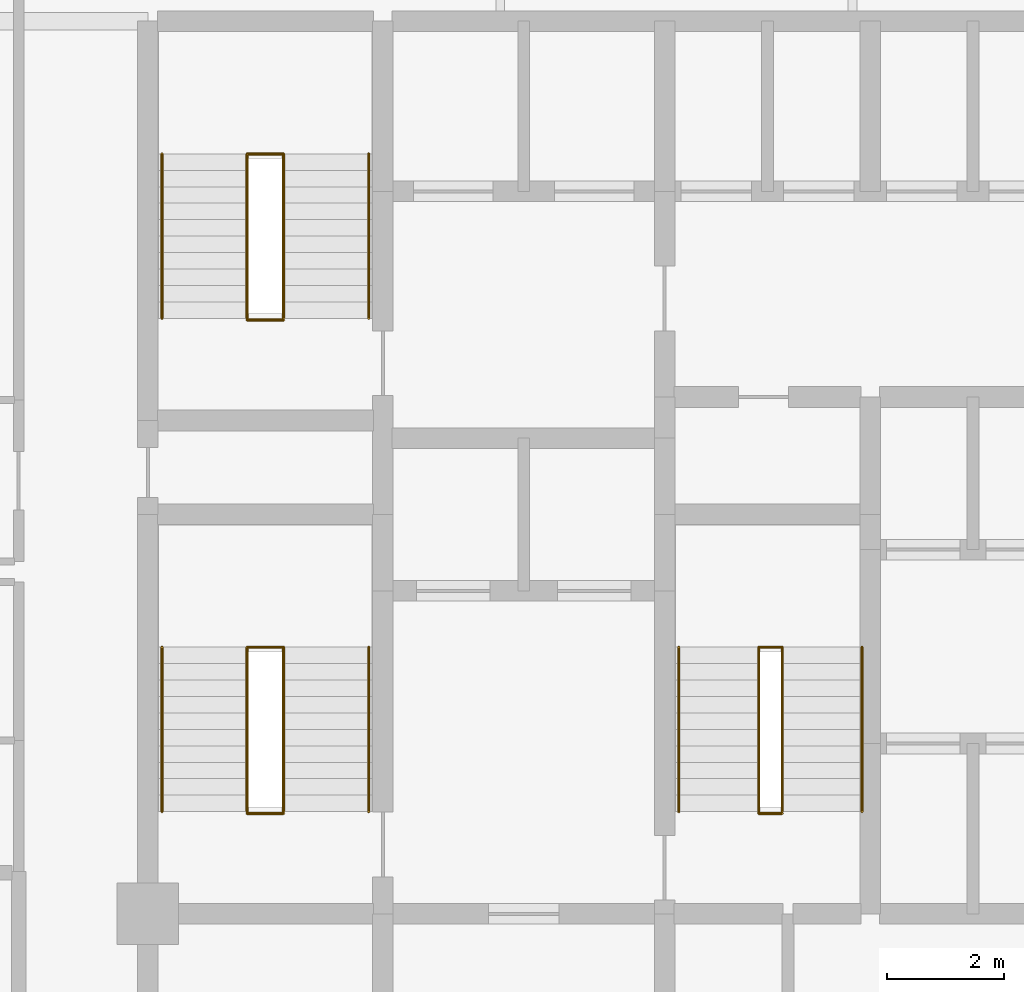
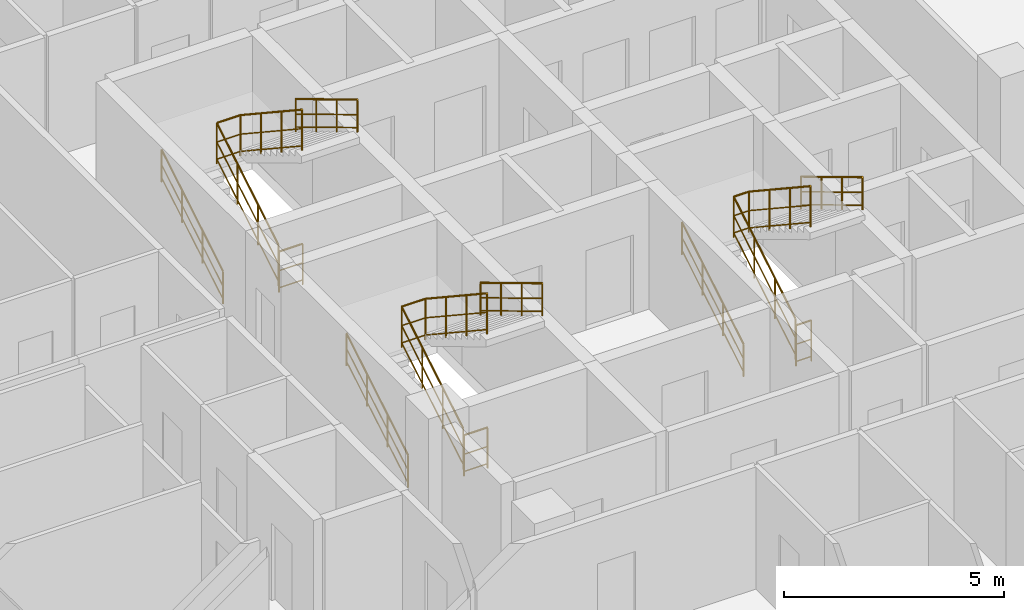
# One storey, part 29 of 29: 12 railings.
"""IFC4 building model written with IfcOpenShell, lengths in metres."""

from ifc_helpers import new_model, si_unit, direction, frame, origin, origin_2d, place, context, subcontext, project, spatial, circle, extrude, material, layer, layer_set, type_object, element, save


model = new_model("IFC4")

# Units and contexts
model_context = context("Model", 3, precision=1e-05, world=origin(), true_north=direction((0.0, 1.0)))
body_context = subcontext(model_context, "Body", "Model", "MODEL_VIEW")
ifc_project = project(units=[si_unit("LENGTHUNIT", "METRE"), si_unit("AREAUNIT", "SQUARE_METRE"), si_unit("VOLUMEUNIT", "CUBIC_METRE"), si_unit("PLANEANGLEUNIT", "RADIAN"), si_unit("MASSUNIT", "GRAM", prefix="KILO")], contexts=[model_context])

# Site, building, storey
site_placement = place(None, origin())
site = spatial("IfcSite", under=ifc_project, at=site_placement, CompositionType="ELEMENT")
building_placement = place(site_placement, origin())
building = spatial("IfcBuilding", under=site, at=building_placement, Name="Keshet Zoharim Tower", CompositionType="ELEMENT")
storey_placement = place(building_placement, frame((0.0, 0.0, 98.300048828125)))
storey = spatial("IfcBuildingStorey", under=building, at=storey_placement, Name="L23", CompositionType="ELEMENT", Elevation=98.300048828125)

# Railings
ifc_material = material(Name="Steel S355", Category="steel")
ifc_layer_1 = layer(ifc_material, 0.050048828125)
ifc_layer_set_1 = layer_set([ifc_layer_1], Name="Steel S355")
railing_type_1 = type_object("IfcRailingType", Name="RL-HND-092", PredefinedType="HANDRAIL", material=ifc_layer_set_1)
railing_1_placement = place(storey_placement, frame((15.239990234375, 24.43994140625, 0.168212890625)))
element("IfcRailing", 1, at=railing_1_placement, inside=storey, type_object=railing_type_1, Name="L23 ST-01 Flight 1 Wall Handrail", PredefinedType="HANDRAIL", context=body_context, shape_type="SweptSolid", body=[
    extrude(circle(Radius=0.02392578125, at=origin_2d()), frame((0.0, 0.0, 0.89599609375), z_axis=(0.0, 0.857275202839, 0.514858452973), x_axis=(-1.0, 0.0, 0.0)), (0.0, 0.0, 1.0), 3.26611328125),
    extrude(circle(Radius=0.01611328125, at=origin_2d()), frame((0.0, 0.0, 0.478271484375), z_axis=(0.0, 0.857275202839, 0.514858452973), x_axis=(-1.0, 0.0, 0.0)), (0.0, 0.0, 1.0), 3.26611328125),
    extrude(circle(Radius=0.01611328125, at=origin_2d()), frame((0.0, 0.0, 0.1201171875), z_axis=(0.0, 0.857275202839, 0.514858452973), x_axis=(-1.0, 0.0, 0.0)), (0.0, 0.0, 1.0), 3.26611328125),
    extrude(circle(Radius=0.02099609375, at=origin_2d()), origin(), (0.0, 0.0, 1.0), 0.871826171875),
    extrude(circle(Radius=0.02099609375, at=origin_2d()), frame((0.0, 0.933349609375, 0.560546875)), (0.0, 0.0, 1.0), 0.871826171875),
    extrude(circle(Radius=0.02099609375, at=origin_2d()), frame((0.0, 1.86669921875, 1.12109375)), (0.0, 0.0, 1.0), 0.871826171875),
    extrude(circle(Radius=0.02099609375, at=origin_2d()), frame((0.0, 2.800048828125, 1.681640625)), (0.0, 0.0, 1.0), 0.871826171875),
])
railing_2_placement = place(storey_placement, frame((18.760009765625, 27.239990234375, 2.01806640625)))
element("IfcRailing", 2, at=railing_2_placement, inside=storey, type_object=railing_type_1, Name="L23 ST-01 Flight 2 Wall Handrail", PredefinedType="HANDRAIL", context=body_context, shape_type="SweptSolid", body=[
    extrude(circle(Radius=0.02392578125, at=origin_2d()), frame((0.0, 0.0, 0.89599609375), z_axis=(0.0, -0.857242210791, 0.514913383045), x_axis=(1.0, 0.0, 0.0)), (0.0, 0.0, 1.0), 3.266357421875),
    extrude(circle(Radius=0.01611328125, at=origin_2d()), frame((0.0, 0.0, 0.478271484375), z_axis=(0.0, -0.857242210791, 0.514913383045), x_axis=(1.0, 0.0, 0.0)), (0.0, 0.0, 1.0), 3.266357421875),
    extrude(circle(Radius=0.01611328125, at=origin_2d()), frame((0.0, 0.0, 0.1201171875), z_axis=(0.0, -0.857242210791, 0.514913383045), x_axis=(1.0, 0.0, 0.0)), (0.0, 0.0, 1.0), 3.266357421875),
    extrude(circle(Radius=0.02099609375, at=origin_2d()), origin(), (0.0, 0.0, 1.0), 0.871826171875),
    extrude(circle(Radius=0.02099609375, at=origin_2d()), frame((0.0, -0.933349609375, 0.560546875)), (0.0, 0.0, 1.0), 0.871826171875),
    extrude(circle(Radius=0.02099609375, at=origin_2d()), frame((0.0, -1.86669921875, 1.121337890625)), (0.0, 0.0, 1.0), 0.871826171875),
    extrude(circle(Radius=0.02099609375, at=origin_2d()), frame((0.0, -2.800048828125, 1.681884765625)), (0.0, 0.0, 1.0), 0.871826171875),
])
railing_3_placement = place(storey_placement, frame((15.239990234375, 32.840087890625, 0.168212890625)))
element("IfcRailing", 3, at=railing_3_placement, inside=storey, type_object=railing_type_1, Name="L23 ST-02 Flight 1 Wall Handrail", PredefinedType="HANDRAIL", context=body_context, shape_type="SweptSolid", body=[
    extrude(circle(Radius=0.02392578125, at=origin_2d()), frame((0.0, 0.0, 0.89599609375), z_axis=(0.0, 0.857255387014, 0.514891446264), x_axis=(-1.0, 0.0, 0.0)), (0.0, 0.0, 1.0), 3.26611328125),
    extrude(circle(Radius=0.01611328125, at=origin_2d()), frame((0.0, 0.0, 0.478271484375), z_axis=(0.0, 0.857255387014, 0.514891446264), x_axis=(-1.0, 0.0, 0.0)), (0.0, 0.0, 1.0), 3.26611328125),
    extrude(circle(Radius=0.01611328125, at=origin_2d()), frame((0.0, 0.0, 0.1201171875), z_axis=(0.0, 0.857255387014, 0.514891446264), x_axis=(-1.0, 0.0, 0.0)), (0.0, 0.0, 1.0), 3.26611328125),
    extrude(circle(Radius=0.02099609375, at=origin_2d()), origin(), (0.0, 0.0, 1.0), 0.871826171875),
    extrude(circle(Radius=0.02099609375, at=origin_2d()), frame((0.0, 0.933349609375, 0.560546875)), (0.0, 0.0, 1.0), 0.871826171875),
    extrude(circle(Radius=0.02099609375, at=origin_2d()), frame((0.0, 1.866455078125, 1.12109375)), (0.0, 0.0, 1.0), 0.871826171875),
    extrude(circle(Radius=0.02099609375, at=origin_2d()), frame((0.0, 2.7998046875, 1.681640625)), (0.0, 0.0, 1.0), 0.871826171875),
])
railing_4_placement = place(storey_placement, frame((18.760009765625, 35.639892578125, 2.01806640625)))
element("IfcRailing", 4, at=railing_4_placement, inside=storey, type_object=railing_type_1, Name="L23 ST-02 Flight 2 Wall Handrail", PredefinedType="HANDRAIL", context=body_context, shape_type="SweptSolid", body=[
    extrude(circle(Radius=0.02392578125, at=origin_2d()), frame((0.0, 0.0, 0.89599609375), z_axis=(0.0, -0.857222391501, 0.514946377315), x_axis=(1.0, 0.0, 0.0)), (0.0, 0.0, 1.0), 3.26611328125),
    extrude(circle(Radius=0.01611328125, at=origin_2d()), frame((0.0, 0.0, 0.478271484375), z_axis=(0.0, -0.857222391501, 0.514946377315), x_axis=(1.0, 0.0, 0.0)), (0.0, 0.0, 1.0), 3.26611328125),
    extrude(circle(Radius=0.01611328125, at=origin_2d()), frame((0.0, 0.0, 0.1201171875), z_axis=(0.0, -0.857222391501, 0.514946377315), x_axis=(1.0, 0.0, 0.0)), (0.0, 0.0, 1.0), 3.26611328125),
    extrude(circle(Radius=0.02099609375, at=origin_2d()), origin(), (0.0, 0.0, 1.0), 0.871826171875),
    extrude(circle(Radius=0.02099609375, at=origin_2d()), frame((0.0, -0.933349609375, 0.560546875)), (0.0, 0.0, 1.0), 0.871826171875),
    extrude(circle(Radius=0.02099609375, at=origin_2d()), frame((0.0, -1.866455078125, 1.121337890625)), (0.0, 0.0, 1.0), 0.871826171875),
    extrude(circle(Radius=0.02099609375, at=origin_2d()), frame((0.0, -2.7998046875, 1.681884765625)), (0.0, 0.0, 1.0), 0.871826171875),
])
railing_5_placement = place(storey_placement, frame((24.0400390625, 24.43994140625, 0.168212890625)))
element("IfcRailing", 5, at=railing_5_placement, inside=storey, type_object=railing_type_1, Name="L23 ST-03 Flight 1 Wall Handrail", PredefinedType="HANDRAIL", context=body_context, shape_type="SweptSolid", body=[
    extrude(circle(Radius=0.02392578125, at=origin_2d()), frame((0.0, 0.0, 0.89599609375), z_axis=(0.0, 0.857275202839, 0.514858452973), x_axis=(-1.0, 0.0, 0.0)), (0.0, 0.0, 1.0), 3.26611328125),
    extrude(circle(Radius=0.01611328125, at=origin_2d()), frame((0.0, 0.0, 0.478271484375), z_axis=(0.0, 0.857275202839, 0.514858452973), x_axis=(-1.0, 0.0, 0.0)), (0.0, 0.0, 1.0), 3.26611328125),
    extrude(circle(Radius=0.01611328125, at=origin_2d()), frame((0.0, 0.0, 0.1201171875), z_axis=(0.0, 0.857275202839, 0.514858452973), x_axis=(-1.0, 0.0, 0.0)), (0.0, 0.0, 1.0), 3.26611328125),
    extrude(circle(Radius=0.02099609375, at=origin_2d()), origin(), (0.0, 0.0, 1.0), 0.871826171875),
    extrude(circle(Radius=0.02099609375, at=origin_2d()), frame((0.0, 0.933349609375, 0.560546875)), (0.0, 0.0, 1.0), 0.871826171875),
    extrude(circle(Radius=0.02099609375, at=origin_2d()), frame((0.0, 1.86669921875, 1.12109375)), (0.0, 0.0, 1.0), 0.871826171875),
    extrude(circle(Radius=0.02099609375, at=origin_2d()), frame((0.0, 2.800048828125, 1.681640625)), (0.0, 0.0, 1.0), 0.871826171875),
])
railing_6_placement = place(storey_placement, frame((27.159912109375, 27.239990234375, 2.01806640625)))
element("IfcRailing", 6, at=railing_6_placement, inside=storey, type_object=railing_type_1, Name="L23 ST-03 Flight 2 Wall Handrail", PredefinedType="HANDRAIL", context=body_context, shape_type="SweptSolid", body=[
    extrude(circle(Radius=0.02392578125, at=origin_2d()), frame((0.0, 0.0, 0.89599609375), z_axis=(0.0, -0.857242210791, 0.514913383045), x_axis=(1.0, 0.0, 0.0)), (0.0, 0.0, 1.0), 3.266357421875),
    extrude(circle(Radius=0.01611328125, at=origin_2d()), frame((0.0, 0.0, 0.478271484375), z_axis=(0.0, -0.857242210791, 0.514913383045), x_axis=(1.0, 0.0, 0.0)), (0.0, 0.0, 1.0), 3.266357421875),
    extrude(circle(Radius=0.01611328125, at=origin_2d()), frame((0.0, 0.0, 0.1201171875), z_axis=(0.0, -0.857242210791, 0.514913383045), x_axis=(1.0, 0.0, 0.0)), (0.0, 0.0, 1.0), 3.266357421875),
    extrude(circle(Radius=0.02099609375, at=origin_2d()), origin(), (0.0, 0.0, 1.0), 0.871826171875),
    extrude(circle(Radius=0.02099609375, at=origin_2d()), frame((0.0, -0.933349609375, 0.560546875)), (0.0, 0.0, 1.0), 0.871826171875),
    extrude(circle(Radius=0.02099609375, at=origin_2d()), frame((0.0, -1.86669921875, 1.121337890625)), (0.0, 0.0, 1.0), 0.871826171875),
    extrude(circle(Radius=0.02099609375, at=origin_2d()), frame((0.0, -2.800048828125, 1.681884765625)), (0.0, 0.0, 1.0), 0.871826171875),
])
ifc_layer_2 = layer(ifc_material, 0.06005859375)
ifc_layer_set_2 = layer_set([ifc_layer_2], Name="Steel S355")
railing_type_2 = type_object("IfcRailingType", Name="RL-STG-115", PredefinedType="GUARDRAIL", material=ifc_layer_set_2)
railing_7_placement = place(storey_placement, frame((16.68994140625, 24.43994140625, 0.168212890625)))
element("IfcRailing", 7, at=railing_7_placement, inside=storey, type_object=railing_type_2, Name="L23 ST-01 Inner Well Guardrail", PredefinedType="GUARDRAIL", context=body_context, shape_type="SweptSolid", body=[
    extrude(circle(Radius=0.02392578125, at=origin_2d()), frame((0.0, 0.0, 1.1259765625), z_axis=(0.0, 0.857275202839, 0.514858452973), x_axis=(-1.0, 0.0, 0.0)), (0.0, 0.0, 1.0), 3.26611328125),
    extrude(circle(Radius=0.01611328125, at=origin_2d()), frame((0.0, 0.0, 0.597900390625), z_axis=(0.0, 0.857275202839, 0.514858452973), x_axis=(-1.0, 0.0, 0.0)), (0.0, 0.0, 1.0), 3.26611328125),
    extrude(circle(Radius=0.01611328125, at=origin_2d()), frame((0.0, 0.0, 0.1201171875), z_axis=(0.0, 0.857275202839, 0.514858452973), x_axis=(-1.0, 0.0, 0.0)), (0.0, 0.0, 1.0), 3.26611328125),
    extrude(circle(Radius=0.02392578125, at=origin_2d()), frame((0.0, 2.800048828125, 2.8076171875), z_axis=(1.0, 0.0, 0.0), x_axis=(0.0, 1.0, 0.0)), (0.0, 0.0, 1.0), 0.6201171875),
    extrude(circle(Radius=0.01611328125, at=origin_2d()), frame((0.0, 2.800048828125, 2.279541015625), z_axis=(1.0, 0.0, 0.0), x_axis=(0.0, 1.0, 0.0)), (0.0, 0.0, 1.0), 0.6201171875),
    extrude(circle(Radius=0.01611328125, at=origin_2d()), frame((0.0, 2.800048828125, 1.8017578125), z_axis=(1.0, 0.0, 0.0), x_axis=(0.0, 1.0, 0.0)), (0.0, 0.0, 1.0), 0.6201171875),
    extrude(circle(Radius=0.02392578125, at=origin_2d()), frame((0.6201171875, 2.800048828125, 2.8076171875), z_axis=(0.0, -0.834326358476, 0.551270829586), x_axis=(1.0, 0.0, 0.0)), (0.0, 0.0, 1.0), 3.35595703125),
    extrude(circle(Radius=0.01611328125, at=origin_2d()), frame((0.6201171875, 2.800048828125, 2.279541015625), z_axis=(0.0, -0.834326358476, 0.551270829586), x_axis=(1.0, 0.0, 0.0)), (0.0, 0.0, 1.0), 3.35595703125),
    extrude(circle(Radius=0.01611328125, at=origin_2d()), frame((0.6201171875, 2.800048828125, 1.8017578125), z_axis=(0.0, -0.834326358476, 0.551270829586), x_axis=(1.0, 0.0, 0.0)), (0.0, 0.0, 1.0), 3.35595703125),
    extrude(circle(Radius=0.02099609375, at=origin_2d()), origin(), (0.0, 0.0, 1.0), 1.101806640625),
    extrude(circle(Radius=0.02099609375, at=origin_2d()), frame((0.0, 0.933349609375, 0.560546875)), (0.0, 0.0, 1.0), 1.101806640625),
    extrude(circle(Radius=0.02099609375, at=origin_2d()), frame((0.0, 1.86669921875, 1.12109375)), (0.0, 0.0, 1.0), 1.101806640625),
    extrude(circle(Radius=0.02099609375, at=origin_2d()), frame((0.0, 2.800048828125, 1.681640625)), (0.0, 0.0, 1.0), 1.101806640625),
    extrude(circle(Radius=0.02099609375, at=origin_2d()), frame((0.6201171875, 2.800048828125, 1.681640625)), (0.0, 0.0, 1.0), 1.101806640625),
    extrude(circle(Radius=0.02099609375, at=origin_2d()), frame((0.6201171875, 1.86669921875, 2.29833984375)), (0.0, 0.0, 1.0), 1.101806640625),
    extrude(circle(Radius=0.02099609375, at=origin_2d()), frame((0.6201171875, 0.933349609375, 2.9150390625)), (0.0, 0.0, 1.0), 1.101806640625),
    extrude(circle(Radius=0.02099609375, at=origin_2d()), frame((0.6201171875, 0.0, 3.53173828125)), (0.0, 0.0, 1.0), 1.101806640625),
])
railing_8_placement = place(storey_placement, frame((16.68994140625, 24.409912109375, 0.0)))
element("IfcRailing", 8, at=railing_8_placement, inside=storey, type_object=railing_type_2, Name="L23 ST-01 Stairwell Floor Guardrail", PredefinedType="GUARDRAIL", context=body_context, shape_type="SweptSolid", body=[
    extrude(circle(Radius=0.02392578125, at=origin_2d()), frame((0.0, 0.0, 1.1259765625), z_axis=(1.0, 0.0, 0.0), x_axis=(0.0, 1.0, 0.0)), (0.0, 0.0, 1.0), 0.6201171875),
    extrude(circle(Radius=0.01611328125, at=origin_2d()), frame((0.0, 0.0, 0.597900390625), z_axis=(1.0, 0.0, 0.0), x_axis=(0.0, 1.0, 0.0)), (0.0, 0.0, 1.0), 0.6201171875),
    extrude(circle(Radius=0.01611328125, at=origin_2d()), frame((0.0, 0.0, 0.1201171875), z_axis=(1.0, 0.0, 0.0), x_axis=(0.0, 1.0, 0.0)), (0.0, 0.0, 1.0), 0.6201171875),
    extrude(circle(Radius=0.02099609375, at=origin_2d()), origin(), (0.0, 0.0, 1.0), 1.101806640625),
    extrude(circle(Radius=0.02099609375, at=origin_2d()), frame((0.6201171875, 0.0, 0.0)), (0.0, 0.0, 1.0), 1.101806640625),
])
railing_9_placement = place(storey_placement, frame((16.68994140625, 32.840087890625, 0.168212890625)))
element("IfcRailing", 9, at=railing_9_placement, inside=storey, type_object=railing_type_2, Name="L23 ST-02 Inner Well Guardrail", PredefinedType="GUARDRAIL", context=body_context, shape_type="SweptSolid", body=[
    extrude(circle(Radius=0.02392578125, at=origin_2d()), frame((0.0, 0.0, 1.1259765625), z_axis=(0.0, 0.857255387014, 0.514891446264), x_axis=(-1.0, 0.0, 0.0)), (0.0, 0.0, 1.0), 3.26611328125),
    extrude(circle(Radius=0.01611328125, at=origin_2d()), frame((0.0, 0.0, 0.597900390625), z_axis=(0.0, 0.857255387014, 0.514891446264), x_axis=(-1.0, 0.0, 0.0)), (0.0, 0.0, 1.0), 3.26611328125),
    extrude(circle(Radius=0.01611328125, at=origin_2d()), frame((0.0, 0.0, 0.1201171875), z_axis=(0.0, 0.857255387014, 0.514891446264), x_axis=(-1.0, 0.0, 0.0)), (0.0, 0.0, 1.0), 3.26611328125),
    extrude(circle(Radius=0.02392578125, at=origin_2d()), frame((0.0, 2.7998046875, 2.8076171875), z_axis=(1.0, 0.0, 0.0), x_axis=(0.0, 1.0, 0.0)), (0.0, 0.0, 1.0), 0.6201171875),
    extrude(circle(Radius=0.01611328125, at=origin_2d()), frame((0.0, 2.7998046875, 2.279541015625), z_axis=(1.0, 0.0, 0.0), x_axis=(0.0, 1.0, 0.0)), (0.0, 0.0, 1.0), 0.6201171875),
    extrude(circle(Radius=0.01611328125, at=origin_2d()), frame((0.0, 2.7998046875, 1.8017578125), z_axis=(1.0, 0.0, 0.0), x_axis=(0.0, 1.0, 0.0)), (0.0, 0.0, 1.0), 0.6201171875),
    extrude(circle(Radius=0.02392578125, at=origin_2d()), frame((0.6201171875, 2.7998046875, 2.8076171875), z_axis=(0.0, -0.834304248922, 0.551304290053), x_axis=(1.0, 0.0, 0.0)), (0.0, 0.0, 1.0), 3.35595703125),
    extrude(circle(Radius=0.01611328125, at=origin_2d()), frame((0.6201171875, 2.7998046875, 2.279541015625), z_axis=(0.0, -0.834304248922, 0.551304290053), x_axis=(1.0, 0.0, 0.0)), (0.0, 0.0, 1.0), 3.35595703125),
    extrude(circle(Radius=0.01611328125, at=origin_2d()), frame((0.6201171875, 2.7998046875, 1.8017578125), z_axis=(0.0, -0.834304248922, 0.551304290053), x_axis=(1.0, 0.0, 0.0)), (0.0, 0.0, 1.0), 3.35595703125),
    extrude(circle(Radius=0.02099609375, at=origin_2d()), origin(), (0.0, 0.0, 1.0), 1.101806640625),
    extrude(circle(Radius=0.02099609375, at=origin_2d()), frame((0.0, 0.933349609375, 0.560546875)), (0.0, 0.0, 1.0), 1.101806640625),
    extrude(circle(Radius=0.02099609375, at=origin_2d()), frame((0.0, 1.866455078125, 1.12109375)), (0.0, 0.0, 1.0), 1.101806640625),
    extrude(circle(Radius=0.02099609375, at=origin_2d()), frame((0.0, 2.7998046875, 1.681640625)), (0.0, 0.0, 1.0), 1.101806640625),
    extrude(circle(Radius=0.02099609375, at=origin_2d()), frame((0.6201171875, 2.7998046875, 1.681640625)), (0.0, 0.0, 1.0), 1.101806640625),
    extrude(circle(Radius=0.02099609375, at=origin_2d()), frame((0.6201171875, 1.866455078125, 2.29833984375)), (0.0, 0.0, 1.0), 1.101806640625),
    extrude(circle(Radius=0.02099609375, at=origin_2d()), frame((0.6201171875, 0.933349609375, 2.9150390625)), (0.0, 0.0, 1.0), 1.101806640625),
    extrude(circle(Radius=0.02099609375, at=origin_2d()), frame((0.6201171875, 0.0, 3.53173828125)), (0.0, 0.0, 1.0), 1.101806640625),
])
railing_10_placement = place(storey_placement, frame((16.68994140625, 32.81005859375, 0.0)))
element("IfcRailing", 10, at=railing_10_placement, inside=storey, type_object=railing_type_2, Name="L23 ST-02 Stairwell Floor Guardrail", PredefinedType="GUARDRAIL", context=body_context, shape_type="SweptSolid", body=[
    extrude(circle(Radius=0.02392578125, at=origin_2d()), frame((0.0, 0.0, 1.1259765625), z_axis=(1.0, 0.0, 0.0), x_axis=(0.0, 1.0, 0.0)), (0.0, 0.0, 1.0), 0.6201171875),
    extrude(circle(Radius=0.01611328125, at=origin_2d()), frame((0.0, 0.0, 0.597900390625), z_axis=(1.0, 0.0, 0.0), x_axis=(0.0, 1.0, 0.0)), (0.0, 0.0, 1.0), 0.6201171875),
    extrude(circle(Radius=0.01611328125, at=origin_2d()), frame((0.0, 0.0, 0.1201171875), z_axis=(1.0, 0.0, 0.0), x_axis=(0.0, 1.0, 0.0)), (0.0, 0.0, 1.0), 0.6201171875),
    extrude(circle(Radius=0.02099609375, at=origin_2d()), origin(), (0.0, 0.0, 1.0), 1.101806640625),
    extrude(circle(Radius=0.02099609375, at=origin_2d()), frame((0.6201171875, 0.0, 0.0)), (0.0, 0.0, 1.0), 1.101806640625),
])
railing_11_placement = place(storey_placement, frame((25.39990234375, 24.43994140625, 0.168212890625)))
element("IfcRailing", 11, at=railing_11_placement, inside=storey, type_object=railing_type_2, Name="L23 ST-03 Inner Well Guardrail", PredefinedType="GUARDRAIL", context=body_context, shape_type="SweptSolid", body=[
    extrude(circle(Radius=0.02392578125, at=origin_2d()), frame((0.0, 0.0, 1.1259765625), z_axis=(0.0, 0.857275202839, 0.514858452973), x_axis=(-1.0, 0.0, 0.0)), (0.0, 0.0, 1.0), 3.26611328125),
    extrude(circle(Radius=0.01611328125, at=origin_2d()), frame((0.0, 0.0, 0.597900390625), z_axis=(0.0, 0.857275202839, 0.514858452973), x_axis=(-1.0, 0.0, 0.0)), (0.0, 0.0, 1.0), 3.26611328125),
    extrude(circle(Radius=0.01611328125, at=origin_2d()), frame((0.0, 0.0, 0.1201171875), z_axis=(0.0, 0.857275202839, 0.514858452973), x_axis=(-1.0, 0.0, 0.0)), (0.0, 0.0, 1.0), 3.26611328125),
    extrude(circle(Radius=0.02392578125, at=origin_2d()), frame((0.0, 2.800048828125, 2.8076171875), z_axis=(1.0, 0.0, 0.0), x_axis=(0.0, 1.0, 0.0)), (0.0, 0.0, 1.0), 0.400146484375),
    extrude(circle(Radius=0.01611328125, at=origin_2d()), frame((0.0, 2.800048828125, 2.279541015625), z_axis=(1.0, 0.0, 0.0), x_axis=(0.0, 1.0, 0.0)), (0.0, 0.0, 1.0), 0.400146484375),
    extrude(circle(Radius=0.01611328125, at=origin_2d()), frame((0.0, 2.800048828125, 1.8017578125), z_axis=(1.0, 0.0, 0.0), x_axis=(0.0, 1.0, 0.0)), (0.0, 0.0, 1.0), 0.400146484375),
    extrude(circle(Radius=0.02392578125, at=origin_2d()), frame((0.400146484375, 2.800048828125, 2.8076171875), z_axis=(0.0, -0.834326358476, 0.551270829586), x_axis=(1.0, 0.0, 0.0)), (0.0, 0.0, 1.0), 3.35595703125),
    extrude(circle(Radius=0.01611328125, at=origin_2d()), frame((0.400146484375, 2.800048828125, 2.279541015625), z_axis=(0.0, -0.834326358476, 0.551270829586), x_axis=(1.0, 0.0, 0.0)), (0.0, 0.0, 1.0), 3.35595703125),
    extrude(circle(Radius=0.01611328125, at=origin_2d()), frame((0.400146484375, 2.800048828125, 1.8017578125), z_axis=(0.0, -0.834326358476, 0.551270829586), x_axis=(1.0, 0.0, 0.0)), (0.0, 0.0, 1.0), 3.35595703125),
    extrude(circle(Radius=0.02099609375, at=origin_2d()), origin(), (0.0, 0.0, 1.0), 1.101806640625),
    extrude(circle(Radius=0.02099609375, at=origin_2d()), frame((0.0, 0.933349609375, 0.560546875)), (0.0, 0.0, 1.0), 1.101806640625),
    extrude(circle(Radius=0.02099609375, at=origin_2d()), frame((0.0, 1.86669921875, 1.12109375)), (0.0, 0.0, 1.0), 1.101806640625),
    extrude(circle(Radius=0.02099609375, at=origin_2d()), frame((0.0, 2.800048828125, 1.681640625)), (0.0, 0.0, 1.0), 1.101806640625),
    extrude(circle(Radius=0.02099609375, at=origin_2d()), frame((0.400146484375, 2.800048828125, 1.681640625)), (0.0, 0.0, 1.0), 1.101806640625),
    extrude(circle(Radius=0.02099609375, at=origin_2d()), frame((0.400146484375, 1.86669921875, 2.29833984375)), (0.0, 0.0, 1.0), 1.101806640625),
    extrude(circle(Radius=0.02099609375, at=origin_2d()), frame((0.400146484375, 0.933349609375, 2.9150390625)), (0.0, 0.0, 1.0), 1.101806640625),
    extrude(circle(Radius=0.02099609375, at=origin_2d()), frame((0.400146484375, 0.0, 3.53173828125)), (0.0, 0.0, 1.0), 1.101806640625),
])
railing_12_placement = place(storey_placement, frame((25.39990234375, 24.409912109375, 0.0)))
element("IfcRailing", 12, at=railing_12_placement, inside=storey, type_object=railing_type_2, Name="L23 ST-03 Stairwell Floor Guardrail", PredefinedType="GUARDRAIL", context=body_context, shape_type="SweptSolid", body=[
    extrude(circle(Radius=0.02392578125, at=origin_2d()), frame((0.0, 0.0, 1.1259765625), z_axis=(1.0, 0.0, 0.0), x_axis=(0.0, 1.0, 0.0)), (0.0, 0.0, 1.0), 0.400146484375),
    extrude(circle(Radius=0.01611328125, at=origin_2d()), frame((0.0, 0.0, 0.597900390625), z_axis=(1.0, 0.0, 0.0), x_axis=(0.0, 1.0, 0.0)), (0.0, 0.0, 1.0), 0.400146484375),
    extrude(circle(Radius=0.01611328125, at=origin_2d()), frame((0.0, 0.0, 0.1201171875), z_axis=(1.0, 0.0, 0.0), x_axis=(0.0, 1.0, 0.0)), (0.0, 0.0, 1.0), 0.400146484375),
    extrude(circle(Radius=0.02099609375, at=origin_2d()), origin(), (0.0, 0.0, 1.0), 1.101806640625),
    extrude(circle(Radius=0.02099609375, at=origin_2d()), frame((0.400146484375, 0.0, 0.0)), (0.0, 0.0, 1.0), 1.101806640625),
])

save(model, "model.ifc")
